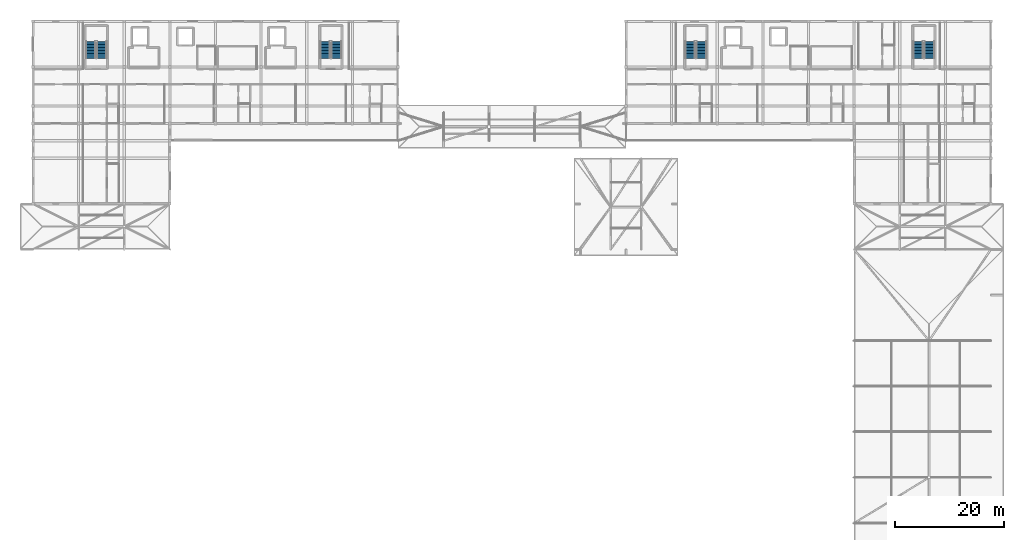
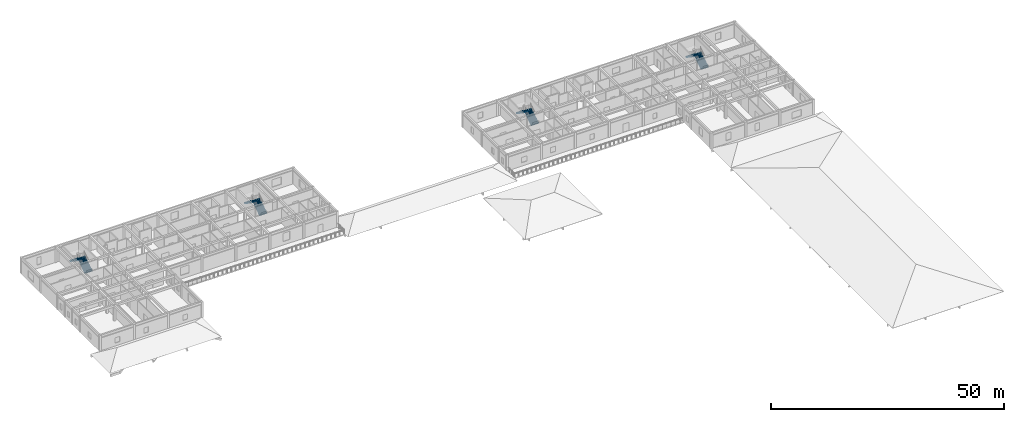
# One storey, part 19 of 26: 8 stair flights, 4 elements without a shape of their own.
"""IFC4 building model written with IfcOpenShell, lengths in metres."""

from ifc_helpers import new_model, si_unit, direction, frame, origin, place, context, subcontext, project, spatial, polyline, outline, extrude, material, type_object, element, aggregate, save


model = new_model("IFC4")

# Units and contexts
model_context = context("Model", 3, precision=1e-05, world=origin(), true_north=direction((0.0, 1.0)))
body_context = subcontext(model_context, "Body", "Model", "MODEL_VIEW")
ifc_project = project(units=[si_unit("LENGTHUNIT", "METRE"), si_unit("AREAUNIT", "SQUARE_METRE"), si_unit("VOLUMEUNIT", "CUBIC_METRE"), si_unit("PLANEANGLEUNIT", "RADIAN"), si_unit("MASSUNIT", "GRAM", prefix="KILO")], contexts=[model_context])

# Site, building, storey
site_placement = place(None, origin())
site = spatial("IfcSite", under=ifc_project, at=site_placement, CompositionType="ELEMENT")
building_placement = place(site_placement, origin())
building = spatial("IfcBuilding", under=site, at=building_placement, Name="Varncliffe General Hospital", CompositionType="ELEMENT")
storey_placement = place(building_placement, frame((0.0, 0.0, 28.800048828125)))
storey = spatial("IfcBuildingStorey", under=building, at=storey_placement, Name="L06", CompositionType="ELEMENT", Elevation=28.800048828125)

# Stair, stair flights
ifc_material = material(Name="Concrete C35/45 (CSA A23.1 35 MPa)", Category="concrete")
stair_type = type_object("IfcStairType", Name="Hospital Stair Assembly ST-T03 (1850w-4200h)", PredefinedType="TWO_STRAIGHT_RUN_STAIR", material=ifc_material)
stair_1_placement = place(storey_placement, origin())
stair_1 = element("IfcStair", 1, at=stair_1_placement, inside=storey, type_object=stair_type, Name="L06 North-West Ward Exit Stair 1", PredefinedType="TWO_STRAIGHT_RUN_STAIR")
stair_flight_type = type_object("IfcStairFlightType", Name="Hospital Stair Flight FL-T03 (1850w-4200h)", PredefinedType="STRAIGHT", material=ifc_material)
stair_flight_1_placement = place(storey_placement, frame((12.675048828125, 118.0, 0.0), z_axis=(0.0, 0.0, 1.0), x_axis=(0.0, 1.0, 0.0)))
stair_flight_1 = element("IfcStairFlight", 2, at=stair_flight_1_placement, type_object=stair_flight_type, Name="ST01 flight 1", NumberOfRisers=12, NumberOfTreads=11, PredefinedType="STRAIGHT", RiserHeight=0.175, TreadLength=0.28, context=body_context, shape_type="SweptSolid", body=[
    extrude(outline(polyline([(-0.02490234375, -0.14990234375), (-0.02490234375, 0.0), (0.0, 0.0), (0.0, 0.175048828125), (0.280029296875, 0.175048828125), (0.280029296875, 0.35009765625), (0.56005859375, 0.35009765625), (0.56005859375, 0.52490234375), (0.840087890625, 0.52490234375), (0.840087890625, 0.699951171875), (1.1201171875, 0.699951171875), (1.1201171875, 0.875), (1.39990234375, 0.875), (1.39990234375, 1.050048828125), (1.679931640625, 1.050048828125), (1.679931640625, 1.22509765625), (1.9599609375, 1.22509765625), (1.9599609375, 1.39990234375), (2.239990234375, 1.39990234375), (2.239990234375, 1.574951171875), (2.52001953125, 1.574951171875), (2.52001953125, 1.75), (2.800048828125, 1.75), (2.800048828125, 1.925048828125), (3.080078125, 1.925048828125), (3.080078125, 2.10009765625), (3.10498046875, 2.10009765625), (3.10498046875, 1.9501953125), (3.080078125, 1.748291015625), (0.28271484375, -0.14990234375), (-0.02490234375, -0.14990234375)])), frame((0.0, 0.925048828125, 0.0), z_axis=(0.0, -1.0, 0.0), x_axis=(1.0, 0.0, 0.0)), (0.0, 0.0, 1.0), 1.85009765625),
])
stair_flight_2_placement = place(storey_placement, frame((10.625, 121.080078125, 2.099853515625), z_axis=(0.0, 0.0, 1.0), x_axis=(0.0, -1.0, 0.0)))
stair_flight_2 = element("IfcStairFlight", 3, at=stair_flight_2_placement, type_object=stair_flight_type, Name="ST01 flight 2", NumberOfRisers=12, NumberOfTreads=11, PredefinedType="STRAIGHT", RiserHeight=0.175, TreadLength=0.28, context=body_context, shape_type="SweptSolid", body=[
    extrude(outline(polyline([(-0.02490234375, -0.14990234375), (-0.02490234375, 0.0), (0.0, 0.0), (0.0, 0.175048828125), (0.280029296875, 0.175048828125), (0.280029296875, 0.35009765625), (0.56005859375, 0.35009765625), (0.56005859375, 0.52490234375), (0.840087890625, 0.52490234375), (0.840087890625, 0.699951171875), (1.1201171875, 0.699951171875), (1.1201171875, 0.875), (1.39990234375, 0.875), (1.39990234375, 1.050048828125), (1.679931640625, 1.050048828125), (1.679931640625, 1.22509765625), (1.9599609375, 1.22509765625), (1.9599609375, 1.39990234375), (2.239990234375, 1.39990234375), (2.239990234375, 1.574951171875), (2.52001953125, 1.574951171875), (2.52001953125, 1.75), (2.800048828125, 1.75), (2.800048828125, 1.925048828125), (3.080078125, 1.925048828125), (3.080078125, 2.10009765625), (3.10498046875, 2.10009765625), (3.10498046875, 1.9501953125), (3.080078125, 1.748291015625), (0.28271484375, -0.14990234375), (-0.02490234375, -0.14990234375)])), frame((0.0, 0.925048828125, 0.0), z_axis=(0.0, -1.0, 0.0), x_axis=(1.0, 0.0, 0.0)), (0.0, 0.0, 1.0), 1.85009765625),
])
aggregate(stair_1, [stair_flight_1, stair_flight_2])

stair_2_placement = place(storey_placement, origin())
stair_2 = element("IfcStair", 4, at=stair_2_placement, inside=storey, type_object=stair_type, Name="L06 North-West Ward Exit Stair 2", PredefinedType="TWO_STRAIGHT_RUN_STAIR")
stair_flight_3_placement = place(storey_placement, frame((55.875, 118.0, 0.0), z_axis=(0.0, 0.0, 1.0), x_axis=(0.0, 1.0, 0.0)))
stair_flight_3 = element("IfcStairFlight", 5, at=stair_flight_3_placement, type_object=stair_flight_type, Name="ST02 flight 1", NumberOfRisers=12, NumberOfTreads=11, PredefinedType="STRAIGHT", RiserHeight=0.175, TreadLength=0.28, context=body_context, shape_type="SweptSolid", body=[
    extrude(outline(polyline([(-0.02490234375, -0.14990234375), (-0.02490234375, 0.0), (0.0, 0.0), (0.0, 0.175048828125), (0.280029296875, 0.175048828125), (0.280029296875, 0.35009765625), (0.56005859375, 0.35009765625), (0.56005859375, 0.52490234375), (0.840087890625, 0.52490234375), (0.840087890625, 0.699951171875), (1.1201171875, 0.699951171875), (1.1201171875, 0.875), (1.39990234375, 0.875), (1.39990234375, 1.050048828125), (1.679931640625, 1.050048828125), (1.679931640625, 1.22509765625), (1.9599609375, 1.22509765625), (1.9599609375, 1.39990234375), (2.239990234375, 1.39990234375), (2.239990234375, 1.574951171875), (2.52001953125, 1.574951171875), (2.52001953125, 1.75), (2.800048828125, 1.75), (2.800048828125, 1.925048828125), (3.080078125, 1.925048828125), (3.080078125, 2.10009765625), (3.10498046875, 2.10009765625), (3.10498046875, 1.9501953125), (3.080078125, 1.748291015625), (0.28271484375, -0.14990234375), (-0.02490234375, -0.14990234375)])), frame((0.0, 0.925048828125, 0.0), z_axis=(0.0, -1.0, 0.0), x_axis=(1.0, 0.0, 0.0)), (0.0, 0.0, 1.0), 1.85009765625),
])
stair_flight_4_placement = place(storey_placement, frame((53.824951171875, 121.080078125, 2.099853515625), z_axis=(0.0, 0.0, 1.0), x_axis=(0.0, -1.0, 0.0)))
stair_flight_4 = element("IfcStairFlight", 6, at=stair_flight_4_placement, type_object=stair_flight_type, Name="ST02 flight 2", NumberOfRisers=12, NumberOfTreads=11, PredefinedType="STRAIGHT", RiserHeight=0.175, TreadLength=0.28, context=body_context, shape_type="SweptSolid", body=[
    extrude(outline(polyline([(-0.02490234375, -0.14990234375), (-0.02490234375, 0.0), (0.0, 0.0), (0.0, 0.175048828125), (0.280029296875, 0.175048828125), (0.280029296875, 0.35009765625), (0.56005859375, 0.35009765625), (0.56005859375, 0.52490234375), (0.840087890625, 0.52490234375), (0.840087890625, 0.699951171875), (1.1201171875, 0.699951171875), (1.1201171875, 0.875), (1.39990234375, 0.875), (1.39990234375, 1.050048828125), (1.679931640625, 1.050048828125), (1.679931640625, 1.22509765625), (1.9599609375, 1.22509765625), (1.9599609375, 1.39990234375), (2.239990234375, 1.39990234375), (2.239990234375, 1.574951171875), (2.52001953125, 1.574951171875), (2.52001953125, 1.75), (2.800048828125, 1.75), (2.800048828125, 1.925048828125), (3.080078125, 1.925048828125), (3.080078125, 2.10009765625), (3.10498046875, 2.10009765625), (3.10498046875, 1.9501953125), (3.080078125, 1.748291015625), (0.28271484375, -0.14990234375), (-0.02490234375, -0.14990234375)])), frame((0.0, 0.925048828125, 0.0), z_axis=(0.0, -1.0, 0.0), x_axis=(1.0, 0.0, 0.0)), (0.0, 0.0, 1.0), 1.85009765625),
])
aggregate(stair_2, [stair_flight_3, stair_flight_4])

stair_3_placement = place(storey_placement, origin())
stair_3 = element("IfcStair", 7, at=stair_3_placement, inside=storey, type_object=stair_type, Name="L06 North-East Ward Exit Stair 3", PredefinedType="TWO_STRAIGHT_RUN_STAIR")
stair_flight_5_placement = place(storey_placement, frame((123.074951171875, 118.0, 0.0), z_axis=(0.0, 0.0, 1.0), x_axis=(0.0, 1.0, 0.0)))
stair_flight_5 = element("IfcStairFlight", 8, at=stair_flight_5_placement, type_object=stair_flight_type, Name="ST03 flight 1", NumberOfRisers=12, NumberOfTreads=11, PredefinedType="STRAIGHT", RiserHeight=0.175, TreadLength=0.28, context=body_context, shape_type="SweptSolid", body=[
    extrude(outline(polyline([(-0.02490234375, -0.14990234375), (-0.02490234375, 0.0), (0.0, 0.0), (0.0, 0.175048828125), (0.280029296875, 0.175048828125), (0.280029296875, 0.35009765625), (0.56005859375, 0.35009765625), (0.56005859375, 0.52490234375), (0.840087890625, 0.52490234375), (0.840087890625, 0.699951171875), (1.1201171875, 0.699951171875), (1.1201171875, 0.875), (1.39990234375, 0.875), (1.39990234375, 1.050048828125), (1.679931640625, 1.050048828125), (1.679931640625, 1.22509765625), (1.9599609375, 1.22509765625), (1.9599609375, 1.39990234375), (2.239990234375, 1.39990234375), (2.239990234375, 1.574951171875), (2.52001953125, 1.574951171875), (2.52001953125, 1.75), (2.800048828125, 1.75), (2.800048828125, 1.925048828125), (3.080078125, 1.925048828125), (3.080078125, 2.10009765625), (3.10498046875, 2.10009765625), (3.10498046875, 1.9501953125), (3.080078125, 1.748291015625), (0.28271484375, -0.14990234375), (-0.02490234375, -0.14990234375)])), frame((0.0, 0.925048828125, 0.0), z_axis=(0.0, -1.0, 0.0), x_axis=(1.0, 0.0, 0.0)), (0.0, 0.0, 1.0), 1.85009765625),
])
stair_flight_6_placement = place(storey_placement, frame((121.02490234375, 121.080078125, 2.099853515625), z_axis=(0.0, 0.0, 1.0), x_axis=(0.0, -1.0, 0.0)))
stair_flight_6 = element("IfcStairFlight", 9, at=stair_flight_6_placement, type_object=stair_flight_type, Name="ST03 flight 2", NumberOfRisers=12, NumberOfTreads=11, PredefinedType="STRAIGHT", RiserHeight=0.175, TreadLength=0.28, context=body_context, shape_type="SweptSolid", body=[
    extrude(outline(polyline([(-0.02490234375, -0.14990234375), (-0.02490234375, 0.0), (0.0, 0.0), (0.0, 0.175048828125), (0.280029296875, 0.175048828125), (0.280029296875, 0.35009765625), (0.56005859375, 0.35009765625), (0.56005859375, 0.52490234375), (0.840087890625, 0.52490234375), (0.840087890625, 0.699951171875), (1.1201171875, 0.699951171875), (1.1201171875, 0.875), (1.39990234375, 0.875), (1.39990234375, 1.050048828125), (1.679931640625, 1.050048828125), (1.679931640625, 1.22509765625), (1.9599609375, 1.22509765625), (1.9599609375, 1.39990234375), (2.239990234375, 1.39990234375), (2.239990234375, 1.574951171875), (2.52001953125, 1.574951171875), (2.52001953125, 1.75), (2.800048828125, 1.75), (2.800048828125, 1.925048828125), (3.080078125, 1.925048828125), (3.080078125, 2.10009765625), (3.10498046875, 2.10009765625), (3.10498046875, 1.9501953125), (3.080078125, 1.748291015625), (0.28271484375, -0.14990234375), (-0.02490234375, -0.14990234375)])), frame((0.0, 0.925048828125, 0.0), z_axis=(0.0, -1.0, 0.0), x_axis=(1.0, 0.0, 0.0)), (0.0, 0.0, 1.0), 1.85009765625),
])
aggregate(stair_3, [stair_flight_5, stair_flight_6])

stair_4_placement = place(storey_placement, origin())
stair_4 = element("IfcStair", 10, at=stair_4_placement, inside=storey, type_object=stair_type, Name="L06 North-East Ward Exit Stair 4", PredefinedType="TWO_STRAIGHT_RUN_STAIR")
stair_flight_7_placement = place(storey_placement, frame((165.074951171875, 118.0, 0.0), z_axis=(0.0, 0.0, 1.0), x_axis=(0.0, 1.0, 0.0)))
stair_flight_7 = element("IfcStairFlight", 11, at=stair_flight_7_placement, type_object=stair_flight_type, Name="ST04 flight 1", NumberOfRisers=12, NumberOfTreads=11, PredefinedType="STRAIGHT", RiserHeight=0.175, TreadLength=0.28, context=body_context, shape_type="SweptSolid", body=[
    extrude(outline(polyline([(-0.02490234375, -0.14990234375), (-0.02490234375, 0.0), (0.0, 0.0), (0.0, 0.175048828125), (0.280029296875, 0.175048828125), (0.280029296875, 0.35009765625), (0.56005859375, 0.35009765625), (0.56005859375, 0.52490234375), (0.840087890625, 0.52490234375), (0.840087890625, 0.699951171875), (1.1201171875, 0.699951171875), (1.1201171875, 0.875), (1.39990234375, 0.875), (1.39990234375, 1.050048828125), (1.679931640625, 1.050048828125), (1.679931640625, 1.22509765625), (1.9599609375, 1.22509765625), (1.9599609375, 1.39990234375), (2.239990234375, 1.39990234375), (2.239990234375, 1.574951171875), (2.52001953125, 1.574951171875), (2.52001953125, 1.75), (2.800048828125, 1.75), (2.800048828125, 1.925048828125), (3.080078125, 1.925048828125), (3.080078125, 2.10009765625), (3.10498046875, 2.10009765625), (3.10498046875, 1.9501953125), (3.080078125, 1.748291015625), (0.28271484375, -0.14990234375), (-0.02490234375, -0.14990234375)])), frame((0.0, 0.925048828125, 0.0), z_axis=(0.0, -1.0, 0.0), x_axis=(1.0, 0.0, 0.0)), (0.0, 0.0, 1.0), 1.85009765625),
])
stair_flight_8_placement = place(storey_placement, frame((163.02490234375, 121.080078125, 2.099853515625), z_axis=(0.0, 0.0, 1.0), x_axis=(0.0, -1.0, 0.0)))
stair_flight_8 = element("IfcStairFlight", 12, at=stair_flight_8_placement, type_object=stair_flight_type, Name="ST04 flight 2", NumberOfRisers=12, NumberOfTreads=11, PredefinedType="STRAIGHT", RiserHeight=0.175, TreadLength=0.28, context=body_context, shape_type="SweptSolid", body=[
    extrude(outline(polyline([(-0.02490234375, -0.14990234375), (-0.02490234375, 0.0), (0.0, 0.0), (0.0, 0.175048828125), (0.280029296875, 0.175048828125), (0.280029296875, 0.35009765625), (0.56005859375, 0.35009765625), (0.56005859375, 0.52490234375), (0.840087890625, 0.52490234375), (0.840087890625, 0.699951171875), (1.1201171875, 0.699951171875), (1.1201171875, 0.875), (1.39990234375, 0.875), (1.39990234375, 1.050048828125), (1.679931640625, 1.050048828125), (1.679931640625, 1.22509765625), (1.9599609375, 1.22509765625), (1.9599609375, 1.39990234375), (2.239990234375, 1.39990234375), (2.239990234375, 1.574951171875), (2.52001953125, 1.574951171875), (2.52001953125, 1.75), (2.800048828125, 1.75), (2.800048828125, 1.925048828125), (3.080078125, 1.925048828125), (3.080078125, 2.10009765625), (3.10498046875, 2.10009765625), (3.10498046875, 1.9501953125), (3.080078125, 1.748291015625), (0.28271484375, -0.14990234375), (-0.02490234375, -0.14990234375)])), frame((0.0, 0.925048828125, 0.0), z_axis=(0.0, -1.0, 0.0), x_axis=(1.0, 0.0, 0.0)), (0.0, 0.0, 1.0), 1.85009765625),
])
aggregate(stair_4, [stair_flight_7, stair_flight_8])

save(model, "model.ifc")
